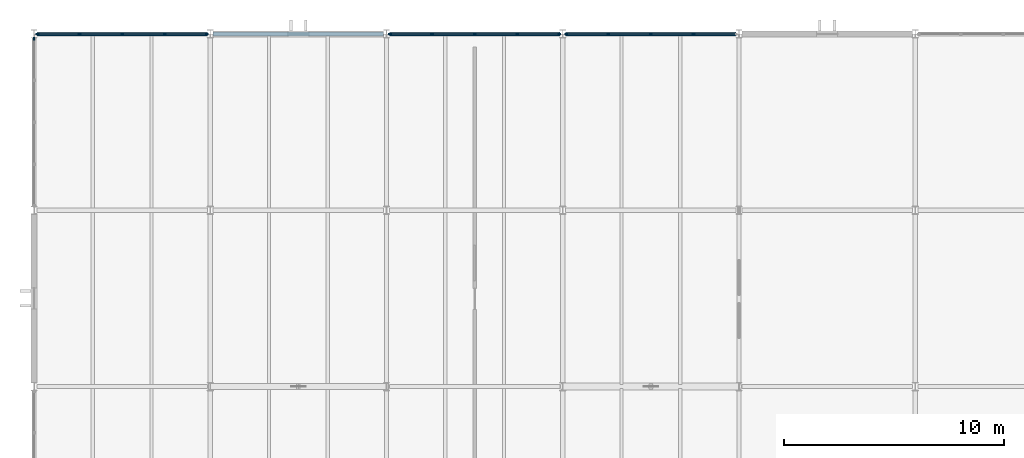
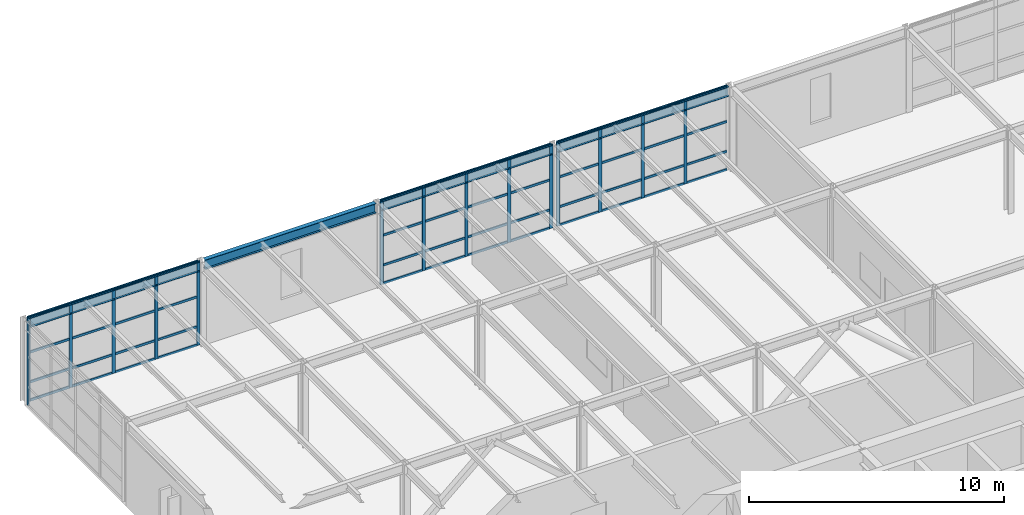
# One storey, part 13 of 21: 63 members, 4 beams, 4 elements without a shape of their own.
"""IFC4 building model written with IfcOpenShell, lengths in metres."""

from ifc_helpers import new_model, si_unit, direction, frame, origin, origin_2d, place, context, subcontext, project, spatial, rectangle, i_section, extrude, material, layer, layer_set, material_profile, profile_set, type_object, element, aggregate, save


model = new_model("IFC4")

# Units and contexts
model_context = context("Model", 3, precision=1e-05, world=origin(), true_north=direction((0.0, 1.0)))
body_context = subcontext(model_context, "Body", "Model", "MODEL_VIEW")
ifc_project = project(units=[si_unit("LENGTHUNIT", "METRE"), si_unit("AREAUNIT", "SQUARE_METRE"), si_unit("VOLUMEUNIT", "CUBIC_METRE"), si_unit("PLANEANGLEUNIT", "RADIAN"), si_unit("MASSUNIT", "GRAM", prefix="KILO")], contexts=[model_context])

# Site, building, storey
site_placement = place(None, origin())
site = spatial("IfcSite", under=ifc_project, at=site_placement, CompositionType="ELEMENT")
building_placement = place(site_placement, origin())
building = spatial("IfcBuilding", under=site, at=building_placement, Name="Varnela Railside Interchange", CompositionType="ELEMENT")
storey_placement = place(building_placement, frame((0.0, 0.0, 23.800048828125)))
storey = spatial("IfcBuildingStorey", under=building, at=storey_placement, Name="L05", CompositionType="ELEMENT", Elevation=23.800048828125)

# Curtain wall, member
ifc_material_1 = material(Name="Aluminium 6063-T6", Category="aluminium")
ifc_layer = layer(ifc_material_1, 0.035888671875)
ifc_layer_set = layer_set([ifc_layer], Name="Aluminium 6063-T6")
curtain_wall_type = type_object("IfcCurtainWallType", Name="Operations Wing Facade Curtain Wall CW-03", PredefinedType="USERDEFINED", material=ifc_layer_set)
curtain_wall_1_placement = place(storey_placement, origin())
curtain_wall_1 = element("IfcCurtainWall", 1, at=curtain_wall_1_placement, inside=storey, type_object=curtain_wall_type, Name="Curtain Wall CW-03 (L05) (CW-124)", ObjectType="CURTAIN WALL", PredefinedType="USERDEFINED")
ifc_material_profile_1 = material_profile(ifc_material_1, rectangle(XDim=0.06005859375, YDim=0.139892578125, at=origin_2d()), Name="ALU 60x140")
ifc_profile_set_1 = profile_set([ifc_material_profile_1], Name="Aluminium 6063-T6")
member_type_1 = type_object("IfcMemberType", Name="Curtain Wall Mullion ML-01", PredefinedType="MULLION", material=ifc_profile_set_1)
member_1_placement = place(storey_placement, frame((4.0, 93.78857421875, 0.0), z_axis=(0.0, 0.0, 1.0), x_axis=(-1.0, 0.0, 0.0)))
member_1 = element("IfcMember", 2, at=member_1_placement, type_object=member_type_1, Name="CW-03 mullion 5", PredefinedType="MULLION", context=body_context, shape_type="SweptSolid", body=[
    extrude(rectangle(XDim=0.06005859375, YDim=0.139892578125, at=origin_2d()), origin(), (0.0, 0.0, 1.0), 4.02001953125),
])
aggregate(curtain_wall_1, [member_1])

# Curtain wall, members
curtain_wall_2_placement = place(storey_placement, origin())
curtain_wall_2 = element("IfcCurtainWall", 3, at=curtain_wall_2_placement, inside=storey, type_object=curtain_wall_type, Name="Curtain Wall CW-03 (L05) (CW-125)", ObjectType="CURTAIN WALL", PredefinedType="USERDEFINED")
member_2_placement = place(storey_placement, frame((4.158447265625, 94.0, 0.0), z_axis=(0.0, 0.0, 1.0), x_axis=(0.0, 1.0, 0.0)))
member_2 = element("IfcMember", 4, at=member_2_placement, type_object=member_type_1, Name="CW-03 mullion 1", PredefinedType="MULLION", context=body_context, shape_type="SweptSolid", body=[
    extrude(rectangle(XDim=0.06005859375, YDim=0.139892578125, at=origin_2d()), origin(), (0.0, 0.0, 1.0), 4.02001953125),
])
member_3_placement = place(storey_placement, frame((6.064208984375, 94.0, 0.0), z_axis=(0.0, 0.0, 1.0), x_axis=(0.0, 1.0, 0.0)))
member_3 = element("IfcMember", 5, at=member_3_placement, type_object=member_type_1, Name="CW-03 mullion 2", PredefinedType="MULLION", context=body_context, shape_type="SweptSolid", body=[
    extrude(rectangle(XDim=0.06005859375, YDim=0.139892578125, at=origin_2d()), origin(), (0.0, 0.0, 1.0), 4.02001953125),
])
member_4_placement = place(storey_placement, frame((8.0, 94.0, 0.0), z_axis=(0.0, 0.0, 1.0), x_axis=(0.0, 1.0, 0.0)))
member_4 = element("IfcMember", 6, at=member_4_placement, type_object=member_type_1, Name="CW-03 mullion 3", PredefinedType="MULLION", context=body_context, shape_type="SweptSolid", body=[
    extrude(rectangle(XDim=0.06005859375, YDim=0.139892578125, at=origin_2d()), origin(), (0.0, 0.0, 1.0), 4.02001953125),
])
member_5_placement = place(storey_placement, frame((9.935791015625, 94.0, 0.0), z_axis=(0.0, 0.0, 1.0), x_axis=(0.0, 1.0, 0.0)))
member_5 = element("IfcMember", 7, at=member_5_placement, type_object=member_type_1, Name="CW-03 mullion 4", PredefinedType="MULLION", context=body_context, shape_type="SweptSolid", body=[
    extrude(rectangle(XDim=0.06005859375, YDim=0.139892578125, at=origin_2d()), origin(), (0.0, 0.0, 1.0), 4.02001953125),
])
member_6_placement = place(storey_placement, frame((11.841552734375, 94.0, 0.0), z_axis=(0.0, 0.0, 1.0), x_axis=(0.0, 1.0, 0.0)))
member_6 = element("IfcMember", 8, at=member_6_placement, type_object=member_type_1, Name="CW-03 mullion 5", PredefinedType="MULLION", context=body_context, shape_type="SweptSolid", body=[
    extrude(rectangle(XDim=0.06005859375, YDim=0.139892578125, at=origin_2d()), origin(), (0.0, 0.0, 1.0), 4.02001953125),
])

curtain_wall_3_placement = place(storey_placement, origin())
curtain_wall_3 = element("IfcCurtainWall", 9, at=curtain_wall_3_placement, inside=storey, type_object=curtain_wall_type, Name="Curtain Wall CW-03 (L05) (CW-126)", ObjectType="CURTAIN WALL", PredefinedType="USERDEFINED")
member_7_placement = place(storey_placement, frame((20.158447265625, 94.0, 0.0), z_axis=(0.0, 0.0, 1.0), x_axis=(0.0, 1.0, 0.0)))
member_7 = element("IfcMember", 10, at=member_7_placement, type_object=member_type_1, Name="CW-03 mullion 1", PredefinedType="MULLION", context=body_context, shape_type="SweptSolid", body=[
    extrude(rectangle(XDim=0.06005859375, YDim=0.139892578125, at=origin_2d()), origin(), (0.0, 0.0, 1.0), 4.02001953125),
])
member_8_placement = place(storey_placement, frame((22.064208984375, 94.0, 0.0), z_axis=(0.0, 0.0, 1.0), x_axis=(0.0, 1.0, 0.0)))
member_8 = element("IfcMember", 11, at=member_8_placement, type_object=member_type_1, Name="CW-03 mullion 2", PredefinedType="MULLION", context=body_context, shape_type="SweptSolid", body=[
    extrude(rectangle(XDim=0.06005859375, YDim=0.139892578125, at=origin_2d()), origin(), (0.0, 0.0, 1.0), 4.02001953125),
])
member_9_placement = place(storey_placement, frame((24.0, 94.0, 0.0), z_axis=(0.0, 0.0, 1.0), x_axis=(0.0, 1.0, 0.0)))
member_9 = element("IfcMember", 12, at=member_9_placement, type_object=member_type_1, Name="CW-03 mullion 3", PredefinedType="MULLION", context=body_context, shape_type="SweptSolid", body=[
    extrude(rectangle(XDim=0.06005859375, YDim=0.139892578125, at=origin_2d()), origin(), (0.0, 0.0, 1.0), 4.02001953125),
])
member_10_placement = place(storey_placement, frame((25.935791015625, 94.0, 0.0), z_axis=(0.0, 0.0, 1.0), x_axis=(0.0, 1.0, 0.0)))
member_10 = element("IfcMember", 13, at=member_10_placement, type_object=member_type_1, Name="CW-03 mullion 4", PredefinedType="MULLION", context=body_context, shape_type="SweptSolid", body=[
    extrude(rectangle(XDim=0.06005859375, YDim=0.139892578125, at=origin_2d()), origin(), (0.0, 0.0, 1.0), 4.02001953125),
])
member_11_placement = place(storey_placement, frame((27.841552734375, 94.0, 0.0), z_axis=(0.0, 0.0, 1.0), x_axis=(0.0, 1.0, 0.0)))
member_11 = element("IfcMember", 14, at=member_11_placement, type_object=member_type_1, Name="CW-03 mullion 5", PredefinedType="MULLION", context=body_context, shape_type="SweptSolid", body=[
    extrude(rectangle(XDim=0.06005859375, YDim=0.139892578125, at=origin_2d()), origin(), (0.0, 0.0, 1.0), 4.02001953125),
])

curtain_wall_4_placement = place(storey_placement, origin())
curtain_wall_4 = element("IfcCurtainWall", 15, at=curtain_wall_4_placement, inside=storey, type_object=curtain_wall_type, Name="Curtain Wall CW-03 (L05) (CW-127)", ObjectType="CURTAIN WALL", PredefinedType="USERDEFINED")
member_12_placement = place(storey_placement, frame((28.158447265625, 94.0, 0.0), z_axis=(0.0, 0.0, 1.0), x_axis=(0.0, 1.0, 0.0)))
member_12 = element("IfcMember", 16, at=member_12_placement, type_object=member_type_1, Name="CW-03 mullion 1", PredefinedType="MULLION", context=body_context, shape_type="SweptSolid", body=[
    extrude(rectangle(XDim=0.06005859375, YDim=0.139892578125, at=origin_2d()), origin(), (0.0, 0.0, 1.0), 4.02001953125),
])
member_13_placement = place(storey_placement, frame((30.064208984375, 94.0, 0.0), z_axis=(0.0, 0.0, 1.0), x_axis=(0.0, 1.0, 0.0)))
member_13 = element("IfcMember", 17, at=member_13_placement, type_object=member_type_1, Name="CW-03 mullion 2", PredefinedType="MULLION", context=body_context, shape_type="SweptSolid", body=[
    extrude(rectangle(XDim=0.06005859375, YDim=0.139892578125, at=origin_2d()), origin(), (0.0, 0.0, 1.0), 4.02001953125),
])
member_14_placement = place(storey_placement, frame((32.0, 94.0, 0.0), z_axis=(0.0, 0.0, 1.0), x_axis=(0.0, 1.0, 0.0)))
member_14 = element("IfcMember", 18, at=member_14_placement, type_object=member_type_1, Name="CW-03 mullion 3", PredefinedType="MULLION", context=body_context, shape_type="SweptSolid", body=[
    extrude(rectangle(XDim=0.06005859375, YDim=0.139892578125, at=origin_2d()), origin(), (0.0, 0.0, 1.0), 4.02001953125),
])
member_15_placement = place(storey_placement, frame((33.935791015625, 94.0, 0.0), z_axis=(0.0, 0.0, 1.0), x_axis=(0.0, 1.0, 0.0)))
member_15 = element("IfcMember", 19, at=member_15_placement, type_object=member_type_1, Name="CW-03 mullion 4", PredefinedType="MULLION", context=body_context, shape_type="SweptSolid", body=[
    extrude(rectangle(XDim=0.06005859375, YDim=0.139892578125, at=origin_2d()), origin(), (0.0, 0.0, 1.0), 4.02001953125),
])

# Member
ifc_material_profile_2 = material_profile(ifc_material_1, rectangle(XDim=0.06005859375, YDim=0.110107421875, at=origin_2d()), Name="ALU 60x110")
ifc_profile_set_2 = profile_set([ifc_material_profile_2], Name="Aluminium 6063-T6")
member_type_2 = type_object("IfcMemberType", Name="Curtain Wall Transom TR-01", PredefinedType="USERDEFINED", material=ifc_profile_set_2)
member_16_placement = place(storey_placement, frame((4.1884765625, 94.0, 0.030029296875), z_axis=(1.0, 0.0, 0.0), x_axis=(0.0, 1.0, 0.0)))
member_16 = element("IfcMember", 20, at=member_16_placement, type_object=member_type_2, Name="CW-03 transom 1.1", ObjectType="TRANSOM", PredefinedType="USERDEFINED", context=body_context, shape_type="SweptSolid", body=[
    extrude(rectangle(XDim=0.06005859375, YDim=0.110107421875, at=origin_2d()), origin(), (0.0, 0.0, 1.0), 1.845703125),
])

member_17_placement = place(storey_placement, frame((4.1884765625, 94.0, 0.89990234375), z_axis=(1.0, 0.0, 0.0), x_axis=(0.0, 1.0, 0.0)))
member_17 = element("IfcMember", 21, at=member_17_placement, type_object=member_type_2, Name="CW-03 transom 1.2", ObjectType="TRANSOM", PredefinedType="USERDEFINED", context=body_context, shape_type="SweptSolid", body=[
    extrude(rectangle(XDim=0.06005859375, YDim=0.110107421875, at=origin_2d()), origin(), (0.0, 0.0, 1.0), 1.845703125),
])

member_18_placement = place(storey_placement, frame((4.1884765625, 94.0, 2.33154296875), z_axis=(1.0, 0.0, 0.0), x_axis=(0.0, 1.0, 0.0)))
member_18 = element("IfcMember", 22, at=member_18_placement, type_object=member_type_2, Name="CW-03 transom 1.3", ObjectType="TRANSOM", PredefinedType="USERDEFINED", context=body_context, shape_type="SweptSolid", body=[
    extrude(rectangle(XDim=0.06005859375, YDim=0.110107421875, at=origin_2d()), origin(), (0.0, 0.0, 1.0), 1.845703125),
])

member_19_placement = place(storey_placement, frame((4.1884765625, 94.0, 3.989990234375), z_axis=(1.0, 0.0, 0.0), x_axis=(0.0, 1.0, 0.0)))
member_19 = element("IfcMember", 23, at=member_19_placement, type_object=member_type_2, Name="CW-03 transom 1.4", ObjectType="TRANSOM", PredefinedType="USERDEFINED", context=body_context, shape_type="SweptSolid", body=[
    extrude(rectangle(XDim=0.06005859375, YDim=0.110107421875, at=origin_2d()), origin(), (0.0, 0.0, 1.0), 1.845703125),
])

member_20_placement = place(storey_placement, frame((6.09423828125, 94.0, 0.030029296875), z_axis=(1.0, 0.0, 0.0), x_axis=(0.0, 1.0, 0.0)))
member_20 = element("IfcMember", 24, at=member_20_placement, type_object=member_type_2, Name="CW-03 transom 2.1", ObjectType="TRANSOM", PredefinedType="USERDEFINED", context=body_context, shape_type="SweptSolid", body=[
    extrude(rectangle(XDim=0.06005859375, YDim=0.110107421875, at=origin_2d()), origin(), (0.0, 0.0, 1.0), 1.875732421875),
])

member_21_placement = place(storey_placement, frame((6.09423828125, 94.0, 0.89990234375), z_axis=(1.0, 0.0, 0.0), x_axis=(0.0, 1.0, 0.0)))
member_21 = element("IfcMember", 25, at=member_21_placement, type_object=member_type_2, Name="CW-03 transom 2.2", ObjectType="TRANSOM", PredefinedType="USERDEFINED", context=body_context, shape_type="SweptSolid", body=[
    extrude(rectangle(XDim=0.06005859375, YDim=0.110107421875, at=origin_2d()), origin(), (0.0, 0.0, 1.0), 1.875732421875),
])

member_22_placement = place(storey_placement, frame((6.09423828125, 94.0, 2.33154296875), z_axis=(1.0, 0.0, 0.0), x_axis=(0.0, 1.0, 0.0)))
member_22 = element("IfcMember", 26, at=member_22_placement, type_object=member_type_2, Name="CW-03 transom 2.3", ObjectType="TRANSOM", PredefinedType="USERDEFINED", context=body_context, shape_type="SweptSolid", body=[
    extrude(rectangle(XDim=0.06005859375, YDim=0.110107421875, at=origin_2d()), origin(), (0.0, 0.0, 1.0), 1.875732421875),
])

member_23_placement = place(storey_placement, frame((6.09423828125, 94.0, 3.989990234375), z_axis=(1.0, 0.0, 0.0), x_axis=(0.0, 1.0, 0.0)))
member_23 = element("IfcMember", 27, at=member_23_placement, type_object=member_type_2, Name="CW-03 transom 2.4", ObjectType="TRANSOM", PredefinedType="USERDEFINED", context=body_context, shape_type="SweptSolid", body=[
    extrude(rectangle(XDim=0.06005859375, YDim=0.110107421875, at=origin_2d()), origin(), (0.0, 0.0, 1.0), 1.875732421875),
])

member_24_placement = place(storey_placement, frame((8.030029296875, 94.0, 0.030029296875), z_axis=(1.0, 0.0, 0.0), x_axis=(0.0, 1.0, 0.0)))
member_24 = element("IfcMember", 28, at=member_24_placement, type_object=member_type_2, Name="CW-03 transom 3.1", ObjectType="TRANSOM", PredefinedType="USERDEFINED", context=body_context, shape_type="SweptSolid", body=[
    extrude(rectangle(XDim=0.06005859375, YDim=0.110107421875, at=origin_2d()), origin(), (0.0, 0.0, 1.0), 1.875732421875),
])

member_25_placement = place(storey_placement, frame((8.030029296875, 94.0, 0.89990234375), z_axis=(1.0, 0.0, 0.0), x_axis=(0.0, 1.0, 0.0)))
member_25 = element("IfcMember", 29, at=member_25_placement, type_object=member_type_2, Name="CW-03 transom 3.2", ObjectType="TRANSOM", PredefinedType="USERDEFINED", context=body_context, shape_type="SweptSolid", body=[
    extrude(rectangle(XDim=0.06005859375, YDim=0.110107421875, at=origin_2d()), origin(), (0.0, 0.0, 1.0), 1.875732421875),
])

member_26_placement = place(storey_placement, frame((8.030029296875, 94.0, 2.33154296875), z_axis=(1.0, 0.0, 0.0), x_axis=(0.0, 1.0, 0.0)))
member_26 = element("IfcMember", 30, at=member_26_placement, type_object=member_type_2, Name="CW-03 transom 3.3", ObjectType="TRANSOM", PredefinedType="USERDEFINED", context=body_context, shape_type="SweptSolid", body=[
    extrude(rectangle(XDim=0.06005859375, YDim=0.110107421875, at=origin_2d()), origin(), (0.0, 0.0, 1.0), 1.875732421875),
])

member_27_placement = place(storey_placement, frame((8.030029296875, 94.0, 3.989990234375), z_axis=(1.0, 0.0, 0.0), x_axis=(0.0, 1.0, 0.0)))
member_27 = element("IfcMember", 31, at=member_27_placement, type_object=member_type_2, Name="CW-03 transom 3.4", ObjectType="TRANSOM", PredefinedType="USERDEFINED", context=body_context, shape_type="SweptSolid", body=[
    extrude(rectangle(XDim=0.06005859375, YDim=0.110107421875, at=origin_2d()), origin(), (0.0, 0.0, 1.0), 1.875732421875),
])

member_28_placement = place(storey_placement, frame((9.9658203125, 94.0, 0.030029296875), z_axis=(1.0, 0.0, 0.0), x_axis=(0.0, 1.0, 0.0)))
member_28 = element("IfcMember", 32, at=member_28_placement, type_object=member_type_2, Name="CW-03 transom 4.1", ObjectType="TRANSOM", PredefinedType="USERDEFINED", context=body_context, shape_type="SweptSolid", body=[
    extrude(rectangle(XDim=0.06005859375, YDim=0.110107421875, at=origin_2d()), origin(), (0.0, 0.0, 1.0), 1.845703125),
])

member_29_placement = place(storey_placement, frame((9.9658203125, 94.0, 0.89990234375), z_axis=(1.0, 0.0, 0.0), x_axis=(0.0, 1.0, 0.0)))
member_29 = element("IfcMember", 33, at=member_29_placement, type_object=member_type_2, Name="CW-03 transom 4.2", ObjectType="TRANSOM", PredefinedType="USERDEFINED", context=body_context, shape_type="SweptSolid", body=[
    extrude(rectangle(XDim=0.06005859375, YDim=0.110107421875, at=origin_2d()), origin(), (0.0, 0.0, 1.0), 1.845703125),
])

member_30_placement = place(storey_placement, frame((9.9658203125, 94.0, 2.33154296875), z_axis=(1.0, 0.0, 0.0), x_axis=(0.0, 1.0, 0.0)))
member_30 = element("IfcMember", 34, at=member_30_placement, type_object=member_type_2, Name="CW-03 transom 4.3", ObjectType="TRANSOM", PredefinedType="USERDEFINED", context=body_context, shape_type="SweptSolid", body=[
    extrude(rectangle(XDim=0.06005859375, YDim=0.110107421875, at=origin_2d()), origin(), (0.0, 0.0, 1.0), 1.845703125),
])

member_31_placement = place(storey_placement, frame((9.9658203125, 94.0, 3.989990234375), z_axis=(1.0, 0.0, 0.0), x_axis=(0.0, 1.0, 0.0)))
member_31 = element("IfcMember", 35, at=member_31_placement, type_object=member_type_2, Name="CW-03 transom 4.4", ObjectType="TRANSOM", PredefinedType="USERDEFINED", context=body_context, shape_type="SweptSolid", body=[
    extrude(rectangle(XDim=0.06005859375, YDim=0.110107421875, at=origin_2d()), origin(), (0.0, 0.0, 1.0), 1.845703125),
])

aggregate(curtain_wall_2, [member_2, member_3, member_4, member_5, member_6, member_16, member_17, member_18, member_19, member_20, member_21, member_22, member_23, member_24, member_25, member_26, member_27, member_28, member_29, member_30, member_31])

member_32_placement = place(storey_placement, frame((20.1884765625, 94.0, 0.030029296875), z_axis=(1.0, 0.0, 0.0), x_axis=(0.0, 1.0, 0.0)))
member_32 = element("IfcMember", 36, at=member_32_placement, type_object=member_type_2, Name="CW-03 transom 1.1", ObjectType="TRANSOM", PredefinedType="USERDEFINED", context=body_context, shape_type="SweptSolid", body=[
    extrude(rectangle(XDim=0.06005859375, YDim=0.110107421875, at=origin_2d()), origin(), (0.0, 0.0, 1.0), 1.845703125),
])

member_33_placement = place(storey_placement, frame((20.1884765625, 94.0, 0.89990234375), z_axis=(1.0, 0.0, 0.0), x_axis=(0.0, 1.0, 0.0)))
member_33 = element("IfcMember", 37, at=member_33_placement, type_object=member_type_2, Name="CW-03 transom 1.2", ObjectType="TRANSOM", PredefinedType="USERDEFINED", context=body_context, shape_type="SweptSolid", body=[
    extrude(rectangle(XDim=0.06005859375, YDim=0.110107421875, at=origin_2d()), origin(), (0.0, 0.0, 1.0), 1.845703125),
])

member_34_placement = place(storey_placement, frame((20.1884765625, 94.0, 2.33154296875), z_axis=(1.0, 0.0, 0.0), x_axis=(0.0, 1.0, 0.0)))
member_34 = element("IfcMember", 38, at=member_34_placement, type_object=member_type_2, Name="CW-03 transom 1.3", ObjectType="TRANSOM", PredefinedType="USERDEFINED", context=body_context, shape_type="SweptSolid", body=[
    extrude(rectangle(XDim=0.06005859375, YDim=0.110107421875, at=origin_2d()), origin(), (0.0, 0.0, 1.0), 1.845703125),
])

member_35_placement = place(storey_placement, frame((20.1884765625, 94.0, 3.989990234375), z_axis=(1.0, 0.0, 0.0), x_axis=(0.0, 1.0, 0.0)))
member_35 = element("IfcMember", 39, at=member_35_placement, type_object=member_type_2, Name="CW-03 transom 1.4", ObjectType="TRANSOM", PredefinedType="USERDEFINED", context=body_context, shape_type="SweptSolid", body=[
    extrude(rectangle(XDim=0.06005859375, YDim=0.110107421875, at=origin_2d()), origin(), (0.0, 0.0, 1.0), 1.845703125),
])

member_36_placement = place(storey_placement, frame((22.09423828125, 94.0, 0.030029296875), z_axis=(1.0, 0.0, 0.0), x_axis=(0.0, 1.0, 0.0)))
member_36 = element("IfcMember", 40, at=member_36_placement, type_object=member_type_2, Name="CW-03 transom 2.1", ObjectType="TRANSOM", PredefinedType="USERDEFINED", context=body_context, shape_type="SweptSolid", body=[
    extrude(rectangle(XDim=0.06005859375, YDim=0.110107421875, at=origin_2d()), origin(), (0.0, 0.0, 1.0), 1.875732421875),
])

member_37_placement = place(storey_placement, frame((22.09423828125, 94.0, 0.89990234375), z_axis=(1.0, 0.0, 0.0), x_axis=(0.0, 1.0, 0.0)))
member_37 = element("IfcMember", 41, at=member_37_placement, type_object=member_type_2, Name="CW-03 transom 2.2", ObjectType="TRANSOM", PredefinedType="USERDEFINED", context=body_context, shape_type="SweptSolid", body=[
    extrude(rectangle(XDim=0.06005859375, YDim=0.110107421875, at=origin_2d()), origin(), (0.0, 0.0, 1.0), 1.875732421875),
])

member_38_placement = place(storey_placement, frame((22.09423828125, 94.0, 2.33154296875), z_axis=(1.0, 0.0, 0.0), x_axis=(0.0, 1.0, 0.0)))
member_38 = element("IfcMember", 42, at=member_38_placement, type_object=member_type_2, Name="CW-03 transom 2.3", ObjectType="TRANSOM", PredefinedType="USERDEFINED", context=body_context, shape_type="SweptSolid", body=[
    extrude(rectangle(XDim=0.06005859375, YDim=0.110107421875, at=origin_2d()), origin(), (0.0, 0.0, 1.0), 1.875732421875),
])

member_39_placement = place(storey_placement, frame((22.09423828125, 94.0, 3.989990234375), z_axis=(1.0, 0.0, 0.0), x_axis=(0.0, 1.0, 0.0)))
member_39 = element("IfcMember", 43, at=member_39_placement, type_object=member_type_2, Name="CW-03 transom 2.4", ObjectType="TRANSOM", PredefinedType="USERDEFINED", context=body_context, shape_type="SweptSolid", body=[
    extrude(rectangle(XDim=0.06005859375, YDim=0.110107421875, at=origin_2d()), origin(), (0.0, 0.0, 1.0), 1.875732421875),
])

member_40_placement = place(storey_placement, frame((24.030029296875, 94.0, 0.030029296875), z_axis=(1.0, 0.0, 0.0), x_axis=(0.0, 1.0, 0.0)))
member_40 = element("IfcMember", 44, at=member_40_placement, type_object=member_type_2, Name="CW-03 transom 3.1", ObjectType="TRANSOM", PredefinedType="USERDEFINED", context=body_context, shape_type="SweptSolid", body=[
    extrude(rectangle(XDim=0.06005859375, YDim=0.110107421875, at=origin_2d()), origin(), (0.0, 0.0, 1.0), 1.875732421875),
])

member_41_placement = place(storey_placement, frame((24.030029296875, 94.0, 0.89990234375), z_axis=(1.0, 0.0, 0.0), x_axis=(0.0, 1.0, 0.0)))
member_41 = element("IfcMember", 45, at=member_41_placement, type_object=member_type_2, Name="CW-03 transom 3.2", ObjectType="TRANSOM", PredefinedType="USERDEFINED", context=body_context, shape_type="SweptSolid", body=[
    extrude(rectangle(XDim=0.06005859375, YDim=0.110107421875, at=origin_2d()), origin(), (0.0, 0.0, 1.0), 1.875732421875),
])

member_42_placement = place(storey_placement, frame((24.030029296875, 94.0, 2.33154296875), z_axis=(1.0, 0.0, 0.0), x_axis=(0.0, 1.0, 0.0)))
member_42 = element("IfcMember", 46, at=member_42_placement, type_object=member_type_2, Name="CW-03 transom 3.3", ObjectType="TRANSOM", PredefinedType="USERDEFINED", context=body_context, shape_type="SweptSolid", body=[
    extrude(rectangle(XDim=0.06005859375, YDim=0.110107421875, at=origin_2d()), origin(), (0.0, 0.0, 1.0), 1.875732421875),
])

member_43_placement = place(storey_placement, frame((24.030029296875, 94.0, 3.989990234375), z_axis=(1.0, 0.0, 0.0), x_axis=(0.0, 1.0, 0.0)))
member_43 = element("IfcMember", 47, at=member_43_placement, type_object=member_type_2, Name="CW-03 transom 3.4", ObjectType="TRANSOM", PredefinedType="USERDEFINED", context=body_context, shape_type="SweptSolid", body=[
    extrude(rectangle(XDim=0.06005859375, YDim=0.110107421875, at=origin_2d()), origin(), (0.0, 0.0, 1.0), 1.875732421875),
])

member_44_placement = place(storey_placement, frame((25.9658203125, 94.0, 0.030029296875), z_axis=(1.0, 0.0, 0.0), x_axis=(0.0, 1.0, 0.0)))
member_44 = element("IfcMember", 48, at=member_44_placement, type_object=member_type_2, Name="CW-03 transom 4.1", ObjectType="TRANSOM", PredefinedType="USERDEFINED", context=body_context, shape_type="SweptSolid", body=[
    extrude(rectangle(XDim=0.06005859375, YDim=0.110107421875, at=origin_2d()), origin(), (0.0, 0.0, 1.0), 1.845703125),
])

member_45_placement = place(storey_placement, frame((25.9658203125, 94.0, 0.89990234375), z_axis=(1.0, 0.0, 0.0), x_axis=(0.0, 1.0, 0.0)))
member_45 = element("IfcMember", 49, at=member_45_placement, type_object=member_type_2, Name="CW-03 transom 4.2", ObjectType="TRANSOM", PredefinedType="USERDEFINED", context=body_context, shape_type="SweptSolid", body=[
    extrude(rectangle(XDim=0.06005859375, YDim=0.110107421875, at=origin_2d()), origin(), (0.0, 0.0, 1.0), 1.845703125),
])

member_46_placement = place(storey_placement, frame((25.9658203125, 94.0, 2.33154296875), z_axis=(1.0, 0.0, 0.0), x_axis=(0.0, 1.0, 0.0)))
member_46 = element("IfcMember", 50, at=member_46_placement, type_object=member_type_2, Name="CW-03 transom 4.3", ObjectType="TRANSOM", PredefinedType="USERDEFINED", context=body_context, shape_type="SweptSolid", body=[
    extrude(rectangle(XDim=0.06005859375, YDim=0.110107421875, at=origin_2d()), origin(), (0.0, 0.0, 1.0), 1.845703125),
])

member_47_placement = place(storey_placement, frame((25.9658203125, 94.0, 3.989990234375), z_axis=(1.0, 0.0, 0.0), x_axis=(0.0, 1.0, 0.0)))
member_47 = element("IfcMember", 51, at=member_47_placement, type_object=member_type_2, Name="CW-03 transom 4.4", ObjectType="TRANSOM", PredefinedType="USERDEFINED", context=body_context, shape_type="SweptSolid", body=[
    extrude(rectangle(XDim=0.06005859375, YDim=0.110107421875, at=origin_2d()), origin(), (0.0, 0.0, 1.0), 1.845703125),
])

aggregate(curtain_wall_3, [member_7, member_8, member_9, member_10, member_11, member_32, member_33, member_34, member_35, member_36, member_37, member_38, member_39, member_40, member_41, member_42, member_43, member_44, member_45, member_46, member_47])

member_48_placement = place(storey_placement, frame((28.1884765625, 94.0, 0.030029296875), z_axis=(1.0, 0.0, 0.0), x_axis=(0.0, 1.0, 0.0)))
member_48 = element("IfcMember", 52, at=member_48_placement, type_object=member_type_2, Name="CW-03 transom 1.1", ObjectType="TRANSOM", PredefinedType="USERDEFINED", context=body_context, shape_type="SweptSolid", body=[
    extrude(rectangle(XDim=0.06005859375, YDim=0.110107421875, at=origin_2d()), origin(), (0.0, 0.0, 1.0), 1.845703125),
])

member_49_placement = place(storey_placement, frame((28.1884765625, 94.0, 0.89990234375), z_axis=(1.0, 0.0, 0.0), x_axis=(0.0, 1.0, 0.0)))
member_49 = element("IfcMember", 53, at=member_49_placement, type_object=member_type_2, Name="CW-03 transom 1.2", ObjectType="TRANSOM", PredefinedType="USERDEFINED", context=body_context, shape_type="SweptSolid", body=[
    extrude(rectangle(XDim=0.06005859375, YDim=0.110107421875, at=origin_2d()), origin(), (0.0, 0.0, 1.0), 1.845703125),
])

member_50_placement = place(storey_placement, frame((28.1884765625, 94.0, 2.33154296875), z_axis=(1.0, 0.0, 0.0), x_axis=(0.0, 1.0, 0.0)))
member_50 = element("IfcMember", 54, at=member_50_placement, type_object=member_type_2, Name="CW-03 transom 1.3", ObjectType="TRANSOM", PredefinedType="USERDEFINED", context=body_context, shape_type="SweptSolid", body=[
    extrude(rectangle(XDim=0.06005859375, YDim=0.110107421875, at=origin_2d()), origin(), (0.0, 0.0, 1.0), 1.845703125),
])

member_51_placement = place(storey_placement, frame((28.1884765625, 94.0, 3.989990234375), z_axis=(1.0, 0.0, 0.0), x_axis=(0.0, 1.0, 0.0)))
member_51 = element("IfcMember", 55, at=member_51_placement, type_object=member_type_2, Name="CW-03 transom 1.4", ObjectType="TRANSOM", PredefinedType="USERDEFINED", context=body_context, shape_type="SweptSolid", body=[
    extrude(rectangle(XDim=0.06005859375, YDim=0.110107421875, at=origin_2d()), origin(), (0.0, 0.0, 1.0), 1.845703125),
])

member_52_placement = place(storey_placement, frame((30.09423828125, 94.0, 0.030029296875), z_axis=(1.0, 0.0, 0.0), x_axis=(0.0, 1.0, 0.0)))
member_52 = element("IfcMember", 56, at=member_52_placement, type_object=member_type_2, Name="CW-03 transom 2.1", ObjectType="TRANSOM", PredefinedType="USERDEFINED", context=body_context, shape_type="SweptSolid", body=[
    extrude(rectangle(XDim=0.06005859375, YDim=0.110107421875, at=origin_2d()), origin(), (0.0, 0.0, 1.0), 1.875732421875),
])

member_53_placement = place(storey_placement, frame((30.09423828125, 94.0, 0.89990234375), z_axis=(1.0, 0.0, 0.0), x_axis=(0.0, 1.0, 0.0)))
member_53 = element("IfcMember", 57, at=member_53_placement, type_object=member_type_2, Name="CW-03 transom 2.2", ObjectType="TRANSOM", PredefinedType="USERDEFINED", context=body_context, shape_type="SweptSolid", body=[
    extrude(rectangle(XDim=0.06005859375, YDim=0.110107421875, at=origin_2d()), origin(), (0.0, 0.0, 1.0), 1.875732421875),
])

member_54_placement = place(storey_placement, frame((30.09423828125, 94.0, 2.33154296875), z_axis=(1.0, 0.0, 0.0), x_axis=(0.0, 1.0, 0.0)))
member_54 = element("IfcMember", 58, at=member_54_placement, type_object=member_type_2, Name="CW-03 transom 2.3", ObjectType="TRANSOM", PredefinedType="USERDEFINED", context=body_context, shape_type="SweptSolid", body=[
    extrude(rectangle(XDim=0.06005859375, YDim=0.110107421875, at=origin_2d()), origin(), (0.0, 0.0, 1.0), 1.875732421875),
])

member_55_placement = place(storey_placement, frame((30.09423828125, 94.0, 3.989990234375), z_axis=(1.0, 0.0, 0.0), x_axis=(0.0, 1.0, 0.0)))
member_55 = element("IfcMember", 59, at=member_55_placement, type_object=member_type_2, Name="CW-03 transom 2.4", ObjectType="TRANSOM", PredefinedType="USERDEFINED", context=body_context, shape_type="SweptSolid", body=[
    extrude(rectangle(XDim=0.06005859375, YDim=0.110107421875, at=origin_2d()), origin(), (0.0, 0.0, 1.0), 1.875732421875),
])

member_56_placement = place(storey_placement, frame((32.030029296875, 94.0, 0.030029296875), z_axis=(1.0, 0.0, 0.0), x_axis=(0.0, 1.0, 0.0)))
member_56 = element("IfcMember", 60, at=member_56_placement, type_object=member_type_2, Name="CW-03 transom 3.1", ObjectType="TRANSOM", PredefinedType="USERDEFINED", context=body_context, shape_type="SweptSolid", body=[
    extrude(rectangle(XDim=0.06005859375, YDim=0.110107421875, at=origin_2d()), origin(), (0.0, 0.0, 1.0), 1.875732421875),
])

member_57_placement = place(storey_placement, frame((32.030029296875, 94.0, 0.89990234375), z_axis=(1.0, 0.0, 0.0), x_axis=(0.0, 1.0, 0.0)))
member_57 = element("IfcMember", 61, at=member_57_placement, type_object=member_type_2, Name="CW-03 transom 3.2", ObjectType="TRANSOM", PredefinedType="USERDEFINED", context=body_context, shape_type="SweptSolid", body=[
    extrude(rectangle(XDim=0.06005859375, YDim=0.110107421875, at=origin_2d()), origin(), (0.0, 0.0, 1.0), 1.875732421875),
])

member_58_placement = place(storey_placement, frame((32.030029296875, 94.0, 2.33154296875), z_axis=(1.0, 0.0, 0.0), x_axis=(0.0, 1.0, 0.0)))
member_58 = element("IfcMember", 62, at=member_58_placement, type_object=member_type_2, Name="CW-03 transom 3.3", ObjectType="TRANSOM", PredefinedType="USERDEFINED", context=body_context, shape_type="SweptSolid", body=[
    extrude(rectangle(XDim=0.06005859375, YDim=0.110107421875, at=origin_2d()), origin(), (0.0, 0.0, 1.0), 1.875732421875),
])

member_59_placement = place(storey_placement, frame((32.030029296875, 94.0, 3.989990234375), z_axis=(1.0, 0.0, 0.0), x_axis=(0.0, 1.0, 0.0)))
member_59 = element("IfcMember", 63, at=member_59_placement, type_object=member_type_2, Name="CW-03 transom 3.4", ObjectType="TRANSOM", PredefinedType="USERDEFINED", context=body_context, shape_type="SweptSolid", body=[
    extrude(rectangle(XDim=0.06005859375, YDim=0.110107421875, at=origin_2d()), origin(), (0.0, 0.0, 1.0), 1.875732421875),
])

member_60_placement = place(storey_placement, frame((33.9658203125, 94.0, 0.030029296875), z_axis=(1.0, 0.0, 0.0), x_axis=(0.0, 1.0, 0.0)))
member_60 = element("IfcMember", 64, at=member_60_placement, type_object=member_type_2, Name="CW-03 transom 4.1", ObjectType="TRANSOM", PredefinedType="USERDEFINED", context=body_context, shape_type="SweptSolid", body=[
    extrude(rectangle(XDim=0.06005859375, YDim=0.110107421875, at=origin_2d()), origin(), (0.0, 0.0, 1.0), 1.845703125),
])

member_61_placement = place(storey_placement, frame((33.9658203125, 94.0, 0.89990234375), z_axis=(1.0, 0.0, 0.0), x_axis=(0.0, 1.0, 0.0)))
member_61 = element("IfcMember", 65, at=member_61_placement, type_object=member_type_2, Name="CW-03 transom 4.2", ObjectType="TRANSOM", PredefinedType="USERDEFINED", context=body_context, shape_type="SweptSolid", body=[
    extrude(rectangle(XDim=0.06005859375, YDim=0.110107421875, at=origin_2d()), origin(), (0.0, 0.0, 1.0), 1.845703125),
])

member_62_placement = place(storey_placement, frame((33.9658203125, 94.0, 2.33154296875), z_axis=(1.0, 0.0, 0.0), x_axis=(0.0, 1.0, 0.0)))
member_62 = element("IfcMember", 66, at=member_62_placement, type_object=member_type_2, Name="CW-03 transom 4.3", ObjectType="TRANSOM", PredefinedType="USERDEFINED", context=body_context, shape_type="SweptSolid", body=[
    extrude(rectangle(XDim=0.06005859375, YDim=0.110107421875, at=origin_2d()), origin(), (0.0, 0.0, 1.0), 1.845703125),
])

member_63_placement = place(storey_placement, frame((33.9658203125, 94.0, 3.989990234375), z_axis=(1.0, 0.0, 0.0), x_axis=(0.0, 1.0, 0.0)))
member_63 = element("IfcMember", 67, at=member_63_placement, type_object=member_type_2, Name="CW-03 transom 4.4", ObjectType="TRANSOM", PredefinedType="USERDEFINED", context=body_context, shape_type="SweptSolid", body=[
    extrude(rectangle(XDim=0.06005859375, YDim=0.110107421875, at=origin_2d()), origin(), (0.0, 0.0, 1.0), 1.845703125),
])

aggregate(curtain_wall_4, [member_12, member_13, member_14, member_15, member_48, member_49, member_50, member_51, member_52, member_53, member_54, member_55, member_56, member_57, member_58, member_59, member_60, member_61, member_62, member_63])

# Beams
ifc_material_2 = material(Name="Steel AR 350 (350 MPa)", Category="steel")
ifc_material_profile_3 = material_profile(ifc_material_2, i_section(OverallWidth=0.19091796875, OverallDepth=0.4599609375, WebThickness=0.010009765625, FlangeThickness=0.01611328125, at=origin_2d()), Name="W460x82")
ifc_profile_set_3 = profile_set([ifc_material_profile_3], Name="Steel AR 350 (350 MPa)")
beam_type = type_object("IfcBeamType", Name="Steel Perimeter Spandrel SP-01", PredefinedType="SPANDREL", material=ifc_profile_set_3)
for number, where, z_axis, x_axis, name in (
    (68, (4.12841796875, 94.0, 3.7900390625), (1.0, 0.0, 0.0), (0.0, 1.0, 0.0), "Steel Perimeter Spandrel SP-01 (L05) (BM-2602)"),
    (69, (12.12841796875, 94.0, 3.7900390625), (1.0, 0.0, 0.0), (0.0, 1.0, 0.0), "Steel Perimeter Spandrel SP-01 (L05) (BM-2597)"),
    (70, (20.12841796875, 94.0, 3.7900390625), (1.0, 0.0, 0.0), (0.0, 1.0, 0.0), "Steel Perimeter Spandrel SP-01 (L05) (BM-2598)"),
    (71, (28.12841796875, 94.0, 3.7900390625), (1.0, 0.0, 0.0), (0.0, 1.0, 0.0), "Steel Perimeter Spandrel SP-01 (L05) (BM-2599)"),
):
    element("IfcBeam", number, at=place(storey_placement, frame(where, z_axis=z_axis, x_axis=x_axis)), inside=storey, type_object=beam_type, Name=name, PredefinedType="SPANDREL", context=body_context, shape_type="SweptSolid", body=[
        extrude(i_section(OverallWidth=0.19091796875, OverallDepth=0.4599609375, WebThickness=0.010009765625, FlangeThickness=0.01611328125, at=origin_2d()), origin(), (0.0, 0.0, 1.0), 7.7431640625),
    ])

save(model, "model.ifc")
